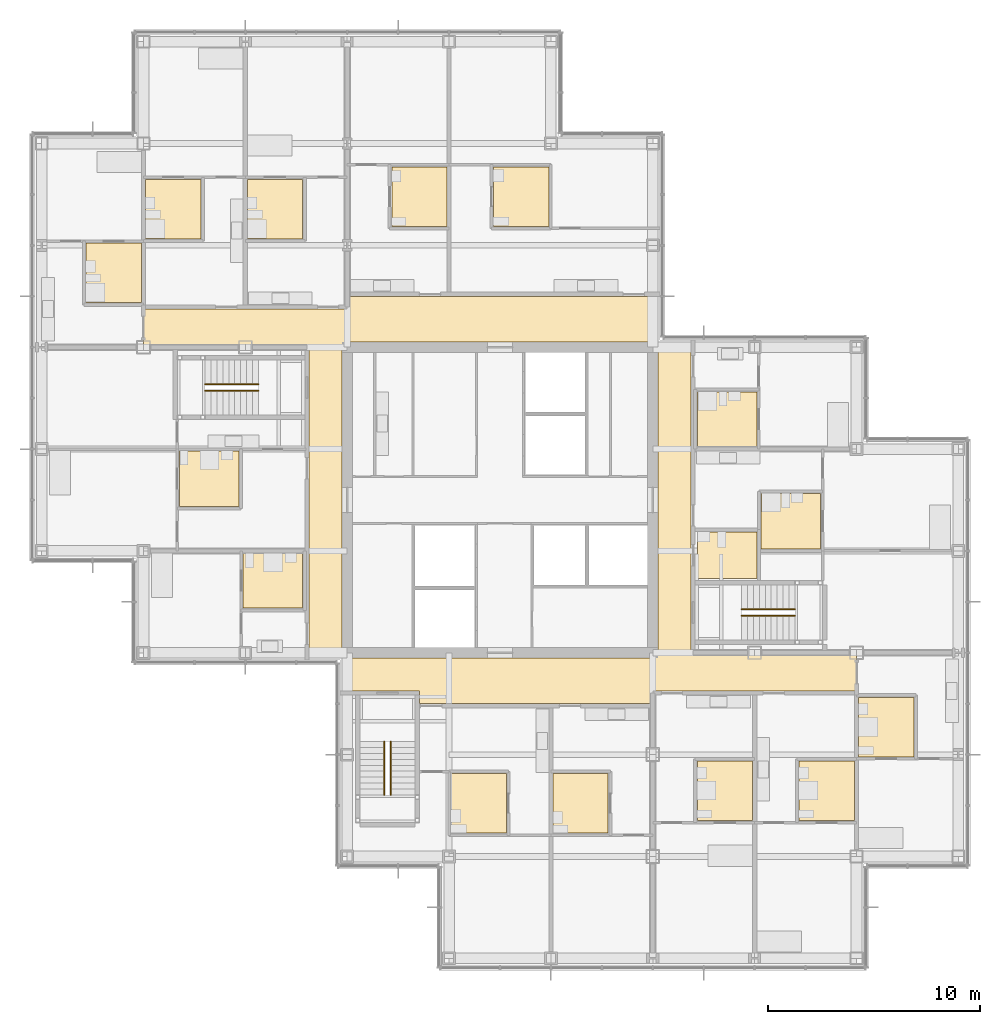
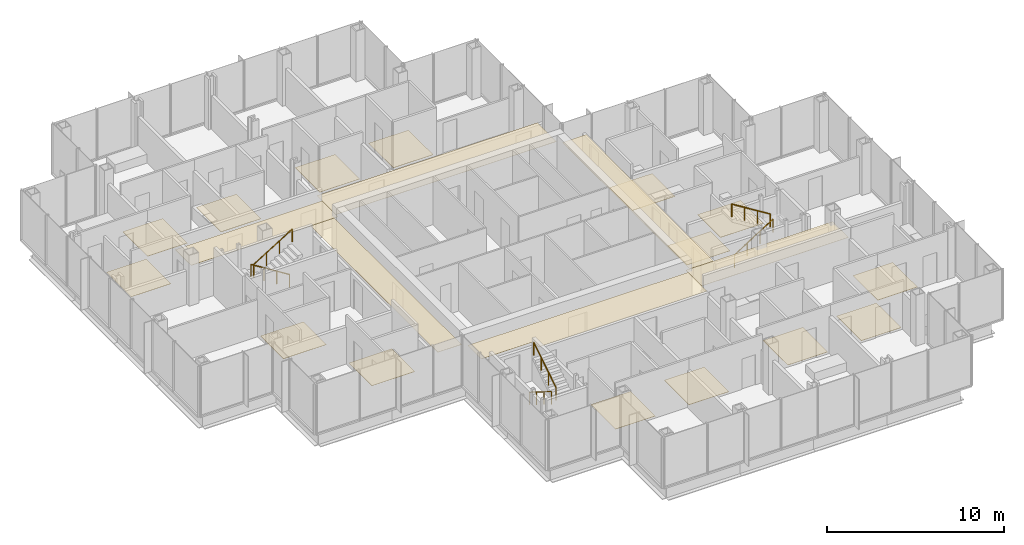
# One storey, part 17 of 19: 21 coverings, 6 railings.
"""IFC4 building model written with IfcOpenShell, lengths in metres."""

from ifc_helpers import new_model, si_unit, direction, frame, origin, origin_2d, place, context, subcontext, project, spatial, polyline, circle, outline, extrude, material, layer, layer_set, type_object, element, save


model = new_model("IFC4")

# Units and contexts
model_context = context("Model", 3, precision=1e-05, world=origin(), true_north=direction((0.0, 1.0)))
body_context = subcontext(model_context, "Body", "Model", "MODEL_VIEW")
ifc_project = project(units=[si_unit("LENGTHUNIT", "METRE"), si_unit("AREAUNIT", "SQUARE_METRE"), si_unit("VOLUMEUNIT", "CUBIC_METRE"), si_unit("PLANEANGLEUNIT", "RADIAN"), si_unit("MASSUNIT", "GRAM", prefix="KILO")], contexts=[model_context])

# Site, building, storey
site_placement = place(None, origin())
site = spatial("IfcSite", under=ifc_project, at=site_placement, CompositionType="ELEMENT")
building_placement = place(site_placement, origin())
building = spatial("IfcBuilding", under=site, at=building_placement, Name="Kvirike Care Tower", CompositionType="ELEMENT")
storey_placement = place(building_placement, frame((0.0, 0.0, 108.5)))
storey = spatial("IfcBuildingStorey", under=building, at=storey_placement, Name="L29", CompositionType="ELEMENT", Elevation=108.5)

# Coverings
ifc_material_1 = material(Name="Perforated metal ceiling tile", Category="aluminium")
ifc_layer_1 = layer(ifc_material_1, 0.014892578125)
ifc_layer_set_1 = layer_set([ifc_layer_1], Name="CORRIDOR CEILING 15")
covering_type_1 = type_object("IfcCoveringType", Name="CORRIDOR CEILING 15", PredefinedType="CEILING", material=ifc_layer_set_1)
covering_1_placement = place(storey_placement, frame((0.0, 0.0, 2.5)))
element("IfcCovering", 1, at=covering_1_placement, inside=storey, type_object=covering_type_1, Name="Corridor ceiling L29", PredefinedType="CEILING", context=body_context, shape_type="SweptSolid", body=[
    extrude(outline(polyline([(12.60009765625, 43.199951171875), (14.14990234375, 43.199951171875), (14.14990234375, 28.800048828125), (12.60009765625, 28.800048828125), (12.60009765625, 43.199951171875)])), origin(), (0.0, 0.0, 1.0), 0.014892578125),
])
covering_2_placement = place(storey_placement, frame((0.0, 0.0, 2.5)))
element("IfcCovering", 2, at=covering_2_placement, inside=storey, type_object=covering_type_1, Name="Corridor ceiling L29", PredefinedType="CEILING", context=body_context, shape_type="SweptSolid", body=[
    extrude(outline(polyline([(14.39990234375, 45.0), (14.39990234375, 43.199951171875), (4.800048828125, 43.199951171875), (4.800048828125, 45.0), (14.39990234375, 45.0)])), origin(), (0.0, 0.0, 1.0), 0.014892578125),
])
covering_3_placement = place(storey_placement, frame((0.0, 0.0, 2.5)))
element("IfcCovering", 3, at=covering_3_placement, inside=storey, type_object=covering_type_1, Name="Corridor ceiling L29", PredefinedType="CEILING", context=body_context, shape_type="SweptSolid", body=[
    extrude(outline(polyline([(14.39990234375, 28.550048828125), (28.800048828125, 28.550048828125), (28.800048828125, 26.39990234375), (17.800048828125, 26.39990234375), (17.800048828125, 27.0), (14.39990234375, 27.0), (14.39990234375, 28.550048828125)])), origin(), (0.0, 0.0, 1.0), 0.014892578125),
])
covering_4_placement = place(storey_placement, frame((0.0, 0.0, 2.5)))
element("IfcCovering", 4, at=covering_4_placement, inside=storey, type_object=covering_type_1, Name="Corridor ceiling L29", PredefinedType="CEILING", context=body_context, shape_type="SweptSolid", body=[
    extrude(outline(polyline([(28.800048828125, 45.60009765625), (28.800048828125, 43.449951171875), (14.39990234375, 43.449951171875), (14.39990234375, 45.60009765625), (28.800048828125, 45.60009765625)])), origin(), (0.0, 0.0, 1.0), 0.014892578125),
])
covering_5_placement = place(storey_placement, frame((0.0, 0.0, 2.5)))
element("IfcCovering", 5, at=covering_5_placement, inside=storey, type_object=covering_type_1, Name="Corridor ceiling L29", PredefinedType="CEILING", context=body_context, shape_type="SweptSolid", body=[
    extrude(outline(polyline([(28.800048828125, 27.0), (28.800048828125, 28.800048828125), (38.39990234375, 28.800048828125), (38.39990234375, 27.0), (28.800048828125, 27.0)])), origin(), (0.0, 0.0, 1.0), 0.014892578125),
])
covering_6_placement = place(storey_placement, frame((0.0, 0.0, 2.5)))
element("IfcCovering", 6, at=covering_6_placement, inside=storey, type_object=covering_type_1, Name="Corridor ceiling L29", PredefinedType="CEILING", context=body_context, shape_type="SweptSolid", body=[
    extrude(outline(polyline([(30.60009765625, 28.800048828125), (29.050048828125, 28.800048828125), (29.050048828125, 43.199951171875), (30.60009765625, 43.199951171875), (30.60009765625, 28.800048828125)])), origin(), (0.0, 0.0, 1.0), 0.014892578125),
])

# Railings
ifc_material_2 = material(Name="Stainless steel handrail", Category="steel")
railing_type = type_object("IfcRailingType", Name="STAIR HANDRAIL 900", PredefinedType="HANDRAIL", material=ifc_material_2)
railing_1_placement = place(storey_placement, frame((10.219970703125, 41.449951171875, 0.175048828125)))
element("IfcRailing", 7, at=railing_1_placement, inside=storey, type_object=railing_type, Name="Stair 1 handrail L29 flight 1", PredefinedType="HANDRAIL", context=body_context, shape_type="SweptSolid", body=[
    extrude(circle(Radius=0.02490234375, at=origin_2d()), frame((0.0, 0.0, 0.875), z_axis=(-0.848007534815, 0.0, 0.529984170421), x_axis=(0.0, -1.0, 0.0)), (0.0, 0.0, 1.0), 2.9716796875),
    extrude(circle(Radius=0.02001953125, at=origin_2d()), origin(), (0.0, 0.0, 1.0), 0.849853515625),
    extrude(circle(Radius=0.02001953125, at=origin_2d()), frame((-0.840087890625, 0.0, 0.52490234375)), (0.0, 0.0, 1.0), 0.849853515625),
    extrude(circle(Radius=0.02001953125, at=origin_2d()), frame((-1.679931640625, 0.0, 1.050048828125)), (0.0, 0.0, 1.0), 0.849853515625),
    extrude(circle(Radius=0.02001953125, at=origin_2d()), frame((-2.52001953125, 0.0, 1.574951171875)), (0.0, 0.0, 1.0), 0.849853515625),
])
for number, where, name in (
    (8, (7.699951171875, 41.14990234375, 1.925048828125), "Stair 1 handrail L29 flight 2"),
    (9, (32.97998046875, 30.550048828125, 0.175048828125), "Stair 2 handrail L29 flight 1"),
):
    element("IfcRailing", number, at=place(storey_placement, frame(where)), inside=storey, type_object=railing_type, Name=name, PredefinedType="HANDRAIL", context=body_context, shape_type="SweptSolid", body=[
        extrude(circle(Radius=0.02490234375, at=origin_2d()), frame((0.0, 0.0, 0.875), z_axis=(0.848007534815, 0.0, 0.529984170421), x_axis=(0.0, 1.0, 0.0)), (0.0, 0.0, 1.0), 2.9716796875),
        extrude(circle(Radius=0.02001953125, at=origin_2d()), origin(), (0.0, 0.0, 1.0), 0.849853515625),
        extrude(circle(Radius=0.02001953125, at=origin_2d()), frame((0.840087890625, 0.0, 0.52490234375)), (0.0, 0.0, 1.0), 0.849853515625),
        extrude(circle(Radius=0.02001953125, at=origin_2d()), frame((1.679931640625, 0.0, 1.050048828125)), (0.0, 0.0, 1.0), 0.849853515625),
        extrude(circle(Radius=0.02001953125, at=origin_2d()), frame((2.52001953125, 0.0, 1.574951171875)), (0.0, 0.0, 1.0), 0.849853515625),
    ])
railing_2_placement = place(storey_placement, frame((35.5, 30.85009765625, 1.925048828125)))
element("IfcRailing", 10, at=railing_2_placement, inside=storey, type_object=railing_type, Name="Stair 2 handrail L29 flight 2", PredefinedType="HANDRAIL", context=body_context, shape_type="SweptSolid", body=[
    extrude(circle(Radius=0.02490234375, at=origin_2d()), frame((0.0, 0.0, 0.875), z_axis=(-0.848007534815, 0.0, 0.529984170421), x_axis=(0.0, -1.0, 0.0)), (0.0, 0.0, 1.0), 2.9716796875),
    extrude(circle(Radius=0.02001953125, at=origin_2d()), origin(), (0.0, 0.0, 1.0), 0.849853515625),
    extrude(circle(Radius=0.02001953125, at=origin_2d()), frame((-0.840087890625, 0.0, 0.52490234375)), (0.0, 0.0, 1.0), 0.849853515625),
    extrude(circle(Radius=0.02001953125, at=origin_2d()), frame((-1.679931640625, 0.0, 1.050048828125)), (0.0, 0.0, 1.0), 0.849853515625),
    extrude(circle(Radius=0.02001953125, at=origin_2d()), frame((-2.52001953125, 0.0, 1.574951171875)), (0.0, 0.0, 1.0), 0.849853515625),
])
railing_3_placement = place(storey_placement, frame((16.14990234375, 24.6201171875, 0.175048828125)))
element("IfcRailing", 11, at=railing_3_placement, inside=storey, type_object=railing_type, Name="Stair 5 handrail L29 flight 1", PredefinedType="HANDRAIL", context=body_context, shape_type="SweptSolid", body=[
    extrude(circle(Radius=0.02490234375, at=origin_2d()), frame((0.0, 0.0, 0.875), z_axis=(0.0, -0.848007534815, 0.529984170421), x_axis=(1.0, 0.0, 0.0)), (0.0, 0.0, 1.0), 2.9716796875),
    extrude(circle(Radius=0.02001953125, at=origin_2d()), origin(), (0.0, 0.0, 1.0), 0.849853515625),
    extrude(circle(Radius=0.02001953125, at=origin_2d()), frame((0.0, -0.840087890625, 0.52490234375)), (0.0, 0.0, 1.0), 0.849853515625),
    extrude(circle(Radius=0.02001953125, at=origin_2d()), frame((0.0, -1.679931640625, 1.050048828125)), (0.0, 0.0, 1.0), 0.849853515625),
    extrude(circle(Radius=0.02001953125, at=origin_2d()), frame((0.0, -2.52001953125, 1.574951171875)), (0.0, 0.0, 1.0), 0.849853515625),
])
railing_4_placement = place(storey_placement, frame((16.449951171875, 22.10009765625, 1.925048828125)))
element("IfcRailing", 12, at=railing_4_placement, inside=storey, type_object=railing_type, Name="Stair 5 handrail L29 flight 2", PredefinedType="HANDRAIL", context=body_context, shape_type="SweptSolid", body=[
    extrude(circle(Radius=0.02490234375, at=origin_2d()), frame((0.0, 0.0, 0.875), z_axis=(0.0, 0.848007534815, 0.529984170421), x_axis=(-1.0, 0.0, 0.0)), (0.0, 0.0, 1.0), 2.9716796875),
    extrude(circle(Radius=0.02001953125, at=origin_2d()), origin(), (0.0, 0.0, 1.0), 0.849853515625),
    extrude(circle(Radius=0.02001953125, at=origin_2d()), frame((0.0, 0.840087890625, 0.52490234375)), (0.0, 0.0, 1.0), 0.849853515625),
    extrude(circle(Radius=0.02001953125, at=origin_2d()), frame((0.0, 1.679931640625, 1.050048828125)), (0.0, 0.0, 1.0), 0.849853515625),
    extrude(circle(Radius=0.02001953125, at=origin_2d()), frame((0.0, 2.52001953125, 1.574951171875)), (0.0, 0.0, 1.0), 0.849853515625),
])

# Coverings
ifc_material_3 = material(Name="Slip-resistant vinyl safety flooring on screed")
ifc_layer_2 = layer(ifc_material_3, 0.02001953125)
ifc_layer_set_2 = layer_set([ifc_layer_2], Name="WET ROOM FLOOR 20")
covering_type_2 = type_object("IfcCoveringType", Name="WET ROOM FLOOR 20", PredefinedType="FLOORING", material=ifc_layer_set_2)
covering_7_placement = place(storey_placement, origin())
element("IfcCovering", 13, at=covering_7_placement, inside=storey, type_object=covering_type_2, Name="En-suite floor L29-005", PredefinedType="FLOORING", context=body_context, shape_type="SweptSolid", body=[
    extrude(outline(polyline([(6.5, 38.300048828125), (9.300048828125, 38.300048828125), (9.300048828125, 35.699951171875), (6.5, 35.699951171875), (6.5, 38.300048828125)])), origin(), (0.0, 0.0, 1.0), 0.02001953125),
])
covering_8_placement = place(storey_placement, origin())
element("IfcCovering", 14, at=covering_8_placement, inside=storey, type_object=covering_type_2, Name="En-suite floor L29-009", PredefinedType="FLOORING", context=body_context, shape_type="SweptSolid", body=[
    extrude(outline(polyline([(9.5, 33.5), (12.300048828125, 33.5), (12.300048828125, 30.89990234375), (9.5, 30.89990234375), (9.5, 33.5)])), origin(), (0.0, 0.0, 1.0), 0.02001953125),
])
covering_9_placement = place(storey_placement, origin())
element("IfcCovering", 15, at=covering_9_placement, inside=storey, type_object=covering_type_2, Name="En-suite floor L29-013", PredefinedType="FLOORING", context=body_context, shape_type="SweptSolid", body=[
    extrude(outline(polyline([(12.300048828125, 51.10009765625), (12.300048828125, 48.300048828125), (9.699951171875, 48.300048828125), (9.699951171875, 51.10009765625), (12.300048828125, 51.10009765625)])), origin(), (0.0, 0.0, 1.0), 0.02001953125),
])
covering_10_placement = place(storey_placement, origin())
element("IfcCovering", 16, at=covering_10_placement, inside=storey, type_object=covering_type_2, Name="En-suite floor L29-016", PredefinedType="FLOORING", context=body_context, shape_type="SweptSolid", body=[
    extrude(outline(polyline([(7.5, 51.10009765625), (7.5, 48.300048828125), (4.89990234375, 48.300048828125), (4.89990234375, 51.10009765625), (7.5, 51.10009765625)])), origin(), (0.0, 0.0, 1.0), 0.02001953125),
])
covering_11_placement = place(storey_placement, origin())
element("IfcCovering", 17, at=covering_11_placement, inside=storey, type_object=covering_type_2, Name="En-suite floor L29-019", PredefinedType="FLOORING", context=body_context, shape_type="SweptSolid", body=[
    extrude(outline(polyline([(4.699951171875, 48.10009765625), (4.699951171875, 45.300048828125), (2.10009765625, 45.300048828125), (2.10009765625, 48.10009765625), (4.699951171875, 48.10009765625)])), origin(), (0.0, 0.0, 1.0), 0.02001953125),
])
covering_12_placement = place(storey_placement, origin())
element("IfcCovering", 18, at=covering_12_placement, inside=storey, type_object=covering_type_2, Name="Accessible WC floor L29-024", PredefinedType="FLOORING", context=body_context, shape_type="SweptSolid", body=[
    extrude(outline(polyline([(19.300048828125, 20.300048828125), (19.300048828125, 23.10009765625), (21.89990234375, 23.10009765625), (21.89990234375, 20.300048828125), (19.300048828125, 20.300048828125)])), origin(), (0.0, 0.0, 1.0), 0.02001953125),
])
covering_13_placement = place(storey_placement, origin())
element("IfcCovering", 19, at=covering_13_placement, inside=storey, type_object=covering_type_2, Name="Staff WC floor L29-027", PredefinedType="FLOORING", context=body_context, shape_type="SweptSolid", body=[
    extrude(outline(polyline([(24.10009765625, 20.300048828125), (24.10009765625, 23.10009765625), (26.699951171875, 23.10009765625), (26.699951171875, 20.300048828125), (24.10009765625, 20.300048828125)])), origin(), (0.0, 0.0, 1.0), 0.02001953125),
])
covering_14_placement = place(storey_placement, origin())
element("IfcCovering", 20, at=covering_14_placement, inside=storey, type_object=covering_type_2, Name="Accessible WC floor L29-031", PredefinedType="FLOORING", context=body_context, shape_type="SweptSolid", body=[
    extrude(outline(polyline([(23.89990234375, 51.699951171875), (23.89990234375, 48.89990234375), (21.300048828125, 48.89990234375), (21.300048828125, 51.699951171875), (23.89990234375, 51.699951171875)])), origin(), (0.0, 0.0, 1.0), 0.02001953125),
])
covering_15_placement = place(storey_placement, origin())
element("IfcCovering", 21, at=covering_15_placement, inside=storey, type_object=covering_type_2, Name="Staff WC floor L29-034", PredefinedType="FLOORING", context=body_context, shape_type="SweptSolid", body=[
    extrude(outline(polyline([(19.10009765625, 51.699951171875), (19.10009765625, 48.89990234375), (16.5, 48.89990234375), (16.5, 51.699951171875), (19.10009765625, 51.699951171875)])), origin(), (0.0, 0.0, 1.0), 0.02001953125),
])
covering_16_placement = place(storey_placement, origin())
element("IfcCovering", 22, at=covering_16_placement, inside=storey, type_object=covering_type_2, Name="En-suite floor L29-038", PredefinedType="FLOORING", context=body_context, shape_type="SweptSolid", body=[
    extrude(outline(polyline([(30.89990234375, 20.89990234375), (30.89990234375, 23.699951171875), (33.5, 23.699951171875), (33.5, 20.89990234375), (30.89990234375, 20.89990234375)])), origin(), (0.0, 0.0, 1.0), 0.02001953125),
])
covering_17_placement = place(storey_placement, origin())
element("IfcCovering", 23, at=covering_17_placement, inside=storey, type_object=covering_type_2, Name="En-suite floor L29-041", PredefinedType="FLOORING", context=body_context, shape_type="SweptSolid", body=[
    extrude(outline(polyline([(35.699951171875, 20.89990234375), (35.699951171875, 23.699951171875), (38.300048828125, 23.699951171875), (38.300048828125, 20.89990234375), (35.699951171875, 20.89990234375)])), origin(), (0.0, 0.0, 1.0), 0.02001953125),
])
covering_18_placement = place(storey_placement, origin())
element("IfcCovering", 24, at=covering_18_placement, inside=storey, type_object=covering_type_2, Name="En-suite floor L29-044", PredefinedType="FLOORING", context=body_context, shape_type="SweptSolid", body=[
    extrude(outline(polyline([(38.5, 23.89990234375), (38.5, 26.699951171875), (41.10009765625, 26.699951171875), (41.10009765625, 23.89990234375), (38.5, 23.89990234375)])), origin(), (0.0, 0.0, 1.0), 0.02001953125),
])
covering_19_placement = place(storey_placement, origin())
element("IfcCovering", 25, at=covering_19_placement, inside=storey, type_object=covering_type_2, Name="Accessible WC floor L29-050", PredefinedType="FLOORING", context=body_context, shape_type="SweptSolid", body=[
    extrude(outline(polyline([(33.699951171875, 32.300048828125), (30.89990234375, 32.300048828125), (30.89990234375, 34.5), (33.699951171875, 34.5), (33.699951171875, 32.300048828125)])), origin(), (0.0, 0.0, 1.0), 0.02001953125),
])
covering_20_placement = place(storey_placement, origin())
element("IfcCovering", 26, at=covering_20_placement, inside=storey, type_object=covering_type_2, Name="En-suite floor L29-051", PredefinedType="FLOORING", context=body_context, shape_type="SweptSolid", body=[
    extrude(outline(polyline([(36.699951171875, 33.699951171875), (33.89990234375, 33.699951171875), (33.89990234375, 36.300048828125), (36.699951171875, 36.300048828125), (36.699951171875, 33.699951171875)])), origin(), (0.0, 0.0, 1.0), 0.02001953125),
])
covering_21_placement = place(storey_placement, origin())
element("IfcCovering", 27, at=covering_21_placement, inside=storey, type_object=covering_type_2, Name="En-suite floor L29-054", PredefinedType="FLOORING", context=body_context, shape_type="SweptSolid", body=[
    extrude(outline(polyline([(33.699951171875, 38.5), (30.89990234375, 38.5), (30.89990234375, 41.10009765625), (33.699951171875, 41.10009765625), (33.699951171875, 38.5)])), origin(), (0.0, 0.0, 1.0), 0.02001953125),
])

save(model, "model.ifc")
